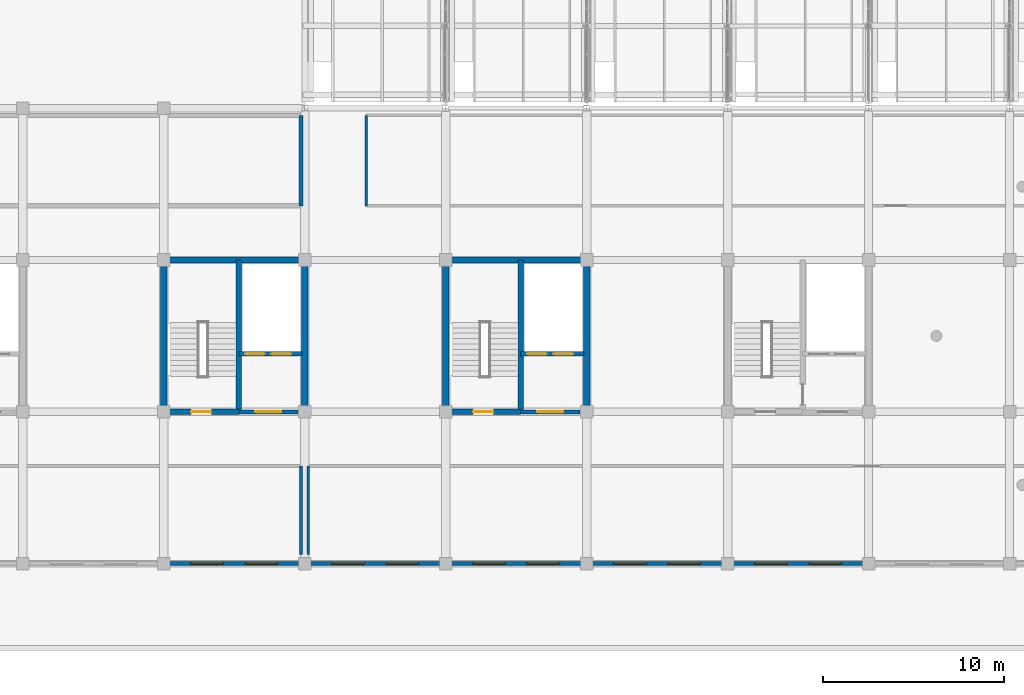
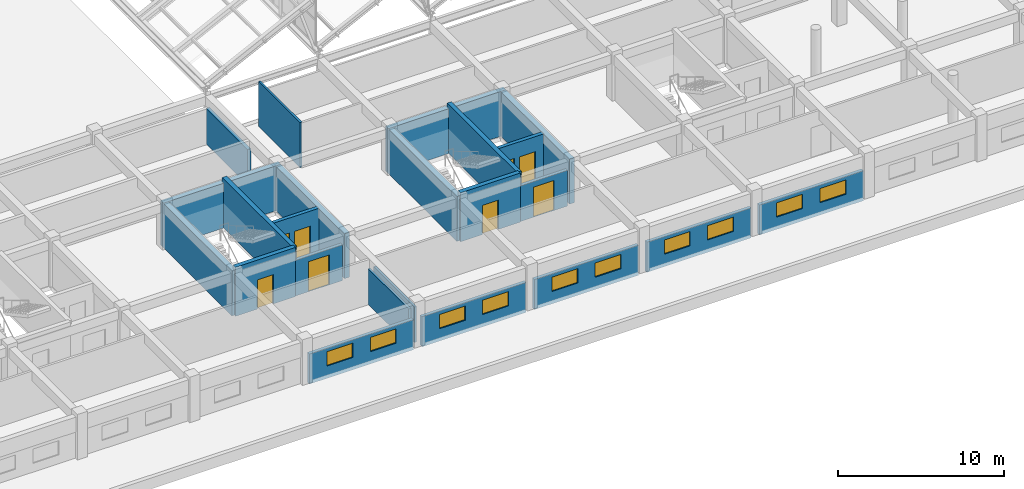
# One storey, part 90 of 101: 23 walls, 10 windows, 8 doors, 18 openings.
"""IFC4 building model written with IfcOpenShell, lengths in metres."""

from ifc_helpers import new_model, si_unit, direction, frame, frame_2d, origin, place, context, subcontext, project, spatial, rectangle, extrude, material, layer, layer_set, type_object, element, fill, save


model = new_model("IFC4")

# Units and contexts
model_context = context("Model", 3, precision=1e-05, world=origin(), true_north=direction((0.0, 1.0)))
body_context = subcontext(model_context, "Body", "Model", "MODEL_VIEW")
ifc_project = project(units=[si_unit("LENGTHUNIT", "METRE"), si_unit("AREAUNIT", "SQUARE_METRE"), si_unit("VOLUMEUNIT", "CUBIC_METRE"), si_unit("PLANEANGLEUNIT", "RADIAN"), si_unit("MASSUNIT", "GRAM", prefix="KILO")], contexts=[model_context])

# Site, building, storey
site_placement = place(None, origin())
site = spatial("IfcSite", under=ifc_project, at=site_placement, CompositionType="ELEMENT")
building_placement = place(site_placement, origin())
building = spatial("IfcBuilding", under=site, at=building_placement, Name="Zizhar Promenade General Hospital", CompositionType="ELEMENT")
storey_placement = place(building_placement, frame((0.0, 0.0, 14.39990234375)))
storey = spatial("IfcBuildingStorey", under=building, at=storey_placement, Name="L03", CompositionType="ELEMENT", Elevation=14.39990234375)

# Wall, openings, windows
ifc_material_1 = material(Name="Precast concrete C40/50", Category="concrete")
ifc_layer_1 = layer(ifc_material_1, 0.22509765625)
ifc_layer_set_1 = layer_set([ifc_layer_1], Name="Precast concrete C40/50")
wall_type_1 = type_object("IfcWallType", Name="EW-INT-225", PredefinedType="STANDARD", material=ifc_layer_set_1)
wall_1_placement = place(storey_placement, frame((69.909912109375, 0.0, 0.0), z_axis=(0.0, 0.0, 1.0), x_axis=(-1.0, 0.0, 0.0)))
wall_1 = element("IfcWall", 1, at=wall_1_placement, inside=storey, type_object=wall_type_1, Name="Riverfront Facade Wall L03-7", PredefinedType="STANDARD", context=body_context, shape_type="SweptSolid", body=[
    extrude(rectangle(XDim=7.219970703125, YDim=0.22509765625, at=frame_2d((3.60986328125, 0.0))), origin(), (0.0, 0.0, 1.0), 2.205078125),
])
opening_1_placement = place(wall_1_placement, frame((1.206787109375, 0.0, 0.89990234375)))
opening_1 = element("IfcOpeningElement", 2, at=opening_1_placement, cuts=wall_1, Name="Opening W-14", PredefinedType="OPENING", context=body_context, shape_type="SweptSolid", body=[
    extrude(rectangle(XDim=1.800048828125, YDim=1.050048828125, at=frame_2d((0.89990234375, 0.52490234375))), frame((0.0, 0.12255859375, 0.0), z_axis=(0.0, -1.0, 0.0), x_axis=(1.0, 0.0, 0.0)), (0.0, 0.0, 1.0), 0.2451171875),
])
opening_2_placement = place(wall_1_placement, frame((4.21337890625, 0.0, 0.89990234375)))
opening_2 = element("IfcOpeningElement", 3, at=opening_2_placement, cuts=wall_1, Name="Opening W-14", PredefinedType="OPENING", context=body_context, shape_type="SweptSolid", body=[
    extrude(rectangle(XDim=1.800048828125, YDim=1.050048828125, at=frame_2d((0.89990234375, 0.52490234375))), frame((0.0, 0.12255859375, 0.0), z_axis=(0.0, -1.0, 0.0), x_axis=(1.0, 0.0, 0.0)), (0.0, 0.0, 1.0), 0.2451171875),
])
ifc_material_2 = material(Name="Anodised aluminium 6063-T6 and low-E glass", Category="aluminium")
window_type = type_object("IfcWindowType", Name="WIN-INT-180x105", PartitioningType="DOUBLE_PANEL_HORIZONTAL", PredefinedType="WINDOW", material=ifc_material_2)
window_1_placement = place(opening_1_placement, origin())
window_1 = element("IfcWindow", 4, at=window_1_placement, inside=storey, type_object=window_type, Name="Riverfront Facade Wall L03-7 Window 1", OverallHeight=1.050048828125, OverallWidth=1.800048828125, PartitioningType="SINGLE_PANEL", PredefinedType="WINDOW", context=body_context, shape_type="SweptSolid", body=[
    extrude(rectangle(XDim=1.800048828125, YDim=1.050048828125, at=frame_2d((0.89990234375, 0.52490234375))), frame((0.0, 0.030029296875, 0.0), z_axis=(0.0, -1.0, 0.0), x_axis=(1.0, 0.0, 0.0)), (0.0, 0.0, 1.0), 0.06005859375),
])
fill(opening_1, window_1)
window_2_placement = place(opening_2_placement, origin())
window_2 = element("IfcWindow", 5, at=window_2_placement, inside=storey, type_object=window_type, Name="Riverfront Facade Wall L03-7 Window 2", OverallHeight=1.050048828125, OverallWidth=1.800048828125, PartitioningType="SINGLE_PANEL", PredefinedType="WINDOW", context=body_context, shape_type="SweptSolid", body=[
    extrude(rectangle(XDim=1.800048828125, YDim=1.050048828125, at=frame_2d((0.89990234375, 0.52490234375))), frame((0.0, 0.030029296875, 0.0), z_axis=(0.0, -1.0, 0.0), x_axis=(1.0, 0.0, 0.0)), (0.0, 0.0, 1.0), 0.06005859375),
])
fill(opening_2, window_2)

wall_2_placement = place(storey_placement, frame((77.7099609375, 0.0, 0.0), z_axis=(0.0, 0.0, 1.0), x_axis=(-1.0, 0.0, 0.0)))
wall_2 = element("IfcWall", 6, at=wall_2_placement, inside=storey, type_object=wall_type_1, Name="Riverfront Facade Wall L03-8", PredefinedType="STANDARD", context=body_context, shape_type="SweptSolid", body=[
    extrude(rectangle(XDim=7.219970703125, YDim=0.22509765625, at=frame_2d((3.60986328125, 0.0))), origin(), (0.0, 0.0, 1.0), 2.205078125),
])
opening_3_placement = place(wall_2_placement, frame((1.206787109375, 0.0, 0.89990234375)))
opening_3 = element("IfcOpeningElement", 7, at=opening_3_placement, cuts=wall_2, Name="Opening W-14", PredefinedType="OPENING", context=body_context, shape_type="SweptSolid", body=[
    extrude(rectangle(XDim=1.800048828125, YDim=1.050048828125, at=frame_2d((0.89990234375, 0.52490234375))), frame((0.0, 0.12255859375, 0.0), z_axis=(0.0, -1.0, 0.0), x_axis=(1.0, 0.0, 0.0)), (0.0, 0.0, 1.0), 0.2451171875),
])
opening_4_placement = place(wall_2_placement, frame((4.21337890625, 0.0, 0.89990234375)))
opening_4 = element("IfcOpeningElement", 8, at=opening_4_placement, cuts=wall_2, Name="Opening W-14", PredefinedType="OPENING", context=body_context, shape_type="SweptSolid", body=[
    extrude(rectangle(XDim=1.800048828125, YDim=1.050048828125, at=frame_2d((0.89990234375, 0.52490234375))), frame((0.0, 0.12255859375, 0.0), z_axis=(0.0, -1.0, 0.0), x_axis=(1.0, 0.0, 0.0)), (0.0, 0.0, 1.0), 0.2451171875),
])
window_3_placement = place(opening_3_placement, origin())
window_3 = element("IfcWindow", 9, at=window_3_placement, inside=storey, type_object=window_type, Name="Riverfront Facade Wall L03-8 Window 1", OverallHeight=1.050048828125, OverallWidth=1.800048828125, PartitioningType="SINGLE_PANEL", PredefinedType="WINDOW", context=body_context, shape_type="SweptSolid", body=[
    extrude(rectangle(XDim=1.800048828125, YDim=1.050048828125, at=frame_2d((0.89990234375, 0.52490234375))), frame((0.0, 0.030029296875, 0.0), z_axis=(0.0, -1.0, 0.0), x_axis=(1.0, 0.0, 0.0)), (0.0, 0.0, 1.0), 0.06005859375),
])
fill(opening_3, window_3)
window_4_placement = place(opening_4_placement, origin())
window_4 = element("IfcWindow", 10, at=window_4_placement, inside=storey, type_object=window_type, Name="Riverfront Facade Wall L03-8 Window 2", OverallHeight=1.050048828125, OverallWidth=1.800048828125, PartitioningType="SINGLE_PANEL", PredefinedType="WINDOW", context=body_context, shape_type="SweptSolid", body=[
    extrude(rectangle(XDim=1.800048828125, YDim=1.050048828125, at=frame_2d((0.89990234375, 0.52490234375))), frame((0.0, 0.030029296875, 0.0), z_axis=(0.0, -1.0, 0.0), x_axis=(1.0, 0.0, 0.0)), (0.0, 0.0, 1.0), 0.06005859375),
])
fill(opening_4, window_4)

wall_3_placement = place(storey_placement, frame((85.510009765625, 0.0, 0.0), z_axis=(0.0, 0.0, 1.0), x_axis=(-1.0, 0.0, 0.0)))
wall_3 = element("IfcWall", 11, at=wall_3_placement, inside=storey, type_object=wall_type_1, Name="Riverfront Facade Wall L03-9", PredefinedType="STANDARD", context=body_context, shape_type="SweptSolid", body=[
    extrude(rectangle(XDim=7.219970703125, YDim=0.22509765625, at=frame_2d((3.60986328125, 0.0))), origin(), (0.0, 0.0, 1.0), 2.205078125),
])
opening_5_placement = place(wall_3_placement, frame((1.206787109375, 0.0, 0.89990234375)))
opening_5 = element("IfcOpeningElement", 12, at=opening_5_placement, cuts=wall_3, Name="Opening W-14", PredefinedType="OPENING", context=body_context, shape_type="SweptSolid", body=[
    extrude(rectangle(XDim=1.800048828125, YDim=1.050048828125, at=frame_2d((0.89990234375, 0.52490234375))), frame((0.0, 0.12255859375, 0.0), z_axis=(0.0, -1.0, 0.0), x_axis=(1.0, 0.0, 0.0)), (0.0, 0.0, 1.0), 0.2451171875),
])
opening_6_placement = place(wall_3_placement, frame((4.21337890625, 0.0, 0.89990234375)))
opening_6 = element("IfcOpeningElement", 13, at=opening_6_placement, cuts=wall_3, Name="Opening W-14", PredefinedType="OPENING", context=body_context, shape_type="SweptSolid", body=[
    extrude(rectangle(XDim=1.800048828125, YDim=1.050048828125, at=frame_2d((0.89990234375, 0.52490234375))), frame((0.0, 0.12255859375, 0.0), z_axis=(0.0, -1.0, 0.0), x_axis=(1.0, 0.0, 0.0)), (0.0, 0.0, 1.0), 0.2451171875),
])
window_5_placement = place(opening_5_placement, origin())
window_5 = element("IfcWindow", 14, at=window_5_placement, inside=storey, type_object=window_type, Name="Riverfront Facade Wall L03-9 Window 1", OverallHeight=1.050048828125, OverallWidth=1.800048828125, PartitioningType="SINGLE_PANEL", PredefinedType="WINDOW", context=body_context, shape_type="SweptSolid", body=[
    extrude(rectangle(XDim=1.800048828125, YDim=1.050048828125, at=frame_2d((0.89990234375, 0.52490234375))), frame((0.0, 0.030029296875, 0.0), z_axis=(0.0, -1.0, 0.0), x_axis=(1.0, 0.0, 0.0)), (0.0, 0.0, 1.0), 0.06005859375),
])
fill(opening_5, window_5)
window_6_placement = place(opening_6_placement, origin())
window_6 = element("IfcWindow", 15, at=window_6_placement, inside=storey, type_object=window_type, Name="Riverfront Facade Wall L03-9 Window 2", OverallHeight=1.050048828125, OverallWidth=1.800048828125, PartitioningType="SINGLE_PANEL", PredefinedType="WINDOW", context=body_context, shape_type="SweptSolid", body=[
    extrude(rectangle(XDim=1.800048828125, YDim=1.050048828125, at=frame_2d((0.89990234375, 0.52490234375))), frame((0.0, 0.030029296875, 0.0), z_axis=(0.0, -1.0, 0.0), x_axis=(1.0, 0.0, 0.0)), (0.0, 0.0, 1.0), 0.06005859375),
])
fill(opening_6, window_6)

wall_4_placement = place(storey_placement, frame((93.31005859375, 0.0, 0.0), z_axis=(0.0, 0.0, 1.0), x_axis=(-1.0, 0.0, 0.0)))
wall_4 = element("IfcWall", 16, at=wall_4_placement, inside=storey, type_object=wall_type_1, Name="Riverfront Facade Wall L03-10", PredefinedType="STANDARD", context=body_context, shape_type="SweptSolid", body=[
    extrude(rectangle(XDim=7.219970703125, YDim=0.22509765625, at=frame_2d((3.60986328125, 0.0))), origin(), (0.0, 0.0, 1.0), 2.205078125),
])
opening_7_placement = place(wall_4_placement, frame((1.206787109375, 0.0, 0.89990234375)))
opening_7 = element("IfcOpeningElement", 17, at=opening_7_placement, cuts=wall_4, Name="Opening W-14", PredefinedType="OPENING", context=body_context, shape_type="SweptSolid", body=[
    extrude(rectangle(XDim=1.800048828125, YDim=1.050048828125, at=frame_2d((0.89990234375, 0.52490234375))), frame((0.0, 0.12255859375, 0.0), z_axis=(0.0, -1.0, 0.0), x_axis=(1.0, 0.0, 0.0)), (0.0, 0.0, 1.0), 0.2451171875),
])
opening_8_placement = place(wall_4_placement, frame((4.21337890625, 0.0, 0.89990234375)))
opening_8 = element("IfcOpeningElement", 18, at=opening_8_placement, cuts=wall_4, Name="Opening W-14", PredefinedType="OPENING", context=body_context, shape_type="SweptSolid", body=[
    extrude(rectangle(XDim=1.800048828125, YDim=1.050048828125, at=frame_2d((0.89990234375, 0.52490234375))), frame((0.0, 0.12255859375, 0.0), z_axis=(0.0, -1.0, 0.0), x_axis=(1.0, 0.0, 0.0)), (0.0, 0.0, 1.0), 0.2451171875),
])
window_7_placement = place(opening_7_placement, origin())
window_7 = element("IfcWindow", 19, at=window_7_placement, inside=storey, type_object=window_type, Name="Riverfront Facade Wall L03-10 Window 1", OverallHeight=1.050048828125, OverallWidth=1.800048828125, PartitioningType="SINGLE_PANEL", PredefinedType="WINDOW", context=body_context, shape_type="SweptSolid", body=[
    extrude(rectangle(XDim=1.800048828125, YDim=1.050048828125, at=frame_2d((0.89990234375, 0.52490234375))), frame((0.0, 0.030029296875, 0.0), z_axis=(0.0, -1.0, 0.0), x_axis=(1.0, 0.0, 0.0)), (0.0, 0.0, 1.0), 0.06005859375),
])
fill(opening_7, window_7)
window_8_placement = place(opening_8_placement, origin())
window_8 = element("IfcWindow", 20, at=window_8_placement, inside=storey, type_object=window_type, Name="Riverfront Facade Wall L03-10 Window 2", OverallHeight=1.050048828125, OverallWidth=1.800048828125, PartitioningType="SINGLE_PANEL", PredefinedType="WINDOW", context=body_context, shape_type="SweptSolid", body=[
    extrude(rectangle(XDim=1.800048828125, YDim=1.050048828125, at=frame_2d((0.89990234375, 0.52490234375))), frame((0.0, 0.030029296875, 0.0), z_axis=(0.0, -1.0, 0.0), x_axis=(1.0, 0.0, 0.0)), (0.0, 0.0, 1.0), 0.06005859375),
])
fill(opening_8, window_8)

wall_5_placement = place(storey_placement, frame((101.110107421875, 0.0, 0.0), z_axis=(0.0, 0.0, 1.0), x_axis=(-1.0, 0.0, 0.0)))
wall_5 = element("IfcWall", 21, at=wall_5_placement, inside=storey, type_object=wall_type_1, Name="Riverfront Facade Wall L03-11", PredefinedType="STANDARD", context=body_context, shape_type="SweptSolid", body=[
    extrude(rectangle(XDim=7.22021484375, YDim=0.22509765625, at=frame_2d((3.610107421875, 0.0))), origin(), (0.0, 0.0, 1.0), 2.205078125),
])
opening_9_placement = place(wall_5_placement, frame((1.206787109375, 0.0, 0.89990234375)))
opening_9 = element("IfcOpeningElement", 22, at=opening_9_placement, cuts=wall_5, Name="Opening W-14", PredefinedType="OPENING", context=body_context, shape_type="SweptSolid", body=[
    extrude(rectangle(XDim=1.800048828125, YDim=1.050048828125, at=frame_2d((0.89990234375, 0.52490234375))), frame((0.0, 0.12255859375, 0.0), z_axis=(0.0, -1.0, 0.0), x_axis=(1.0, 0.0, 0.0)), (0.0, 0.0, 1.0), 0.2451171875),
])
opening_10_placement = place(wall_5_placement, frame((4.21337890625, 0.0, 0.89990234375)))
opening_10 = element("IfcOpeningElement", 23, at=opening_10_placement, cuts=wall_5, Name="Opening W-14", PredefinedType="OPENING", context=body_context, shape_type="SweptSolid", body=[
    extrude(rectangle(XDim=1.800048828125, YDim=1.050048828125, at=frame_2d((0.89990234375, 0.52490234375))), frame((0.0, 0.12255859375, 0.0), z_axis=(0.0, -1.0, 0.0), x_axis=(1.0, 0.0, 0.0)), (0.0, 0.0, 1.0), 0.2451171875),
])
window_9_placement = place(opening_9_placement, origin())
window_9 = element("IfcWindow", 24, at=window_9_placement, inside=storey, type_object=window_type, Name="Riverfront Facade Wall L03-11 Window 1", OverallHeight=1.050048828125, OverallWidth=1.800048828125, PartitioningType="SINGLE_PANEL", PredefinedType="WINDOW", context=body_context, shape_type="SweptSolid", body=[
    extrude(rectangle(XDim=1.800048828125, YDim=1.050048828125, at=frame_2d((0.89990234375, 0.52490234375))), frame((0.0, 0.030029296875, 0.0), z_axis=(0.0, -1.0, 0.0), x_axis=(1.0, 0.0, 0.0)), (0.0, 0.0, 1.0), 0.06005859375),
])
fill(opening_9, window_9)
window_10_placement = place(opening_10_placement, origin())
window_10 = element("IfcWindow", 25, at=window_10_placement, inside=storey, type_object=window_type, Name="Riverfront Facade Wall L03-11 Window 2", OverallHeight=1.050048828125, OverallWidth=1.800048828125, PartitioningType="SINGLE_PANEL", PredefinedType="WINDOW", context=body_context, shape_type="SweptSolid", body=[
    extrude(rectangle(XDim=1.800048828125, YDim=1.050048828125, at=frame_2d((0.89990234375, 0.52490234375))), frame((0.0, 0.030029296875, 0.0), z_axis=(0.0, -1.0, 0.0), x_axis=(1.0, 0.0, 0.0)), (0.0, 0.0, 1.0), 0.06005859375),
])
fill(opening_10, window_10)

# Wall
ifc_material_3 = material(Name="Clinical consultation partition")
ifc_layer_2 = layer(ifc_material_3, 0.14501953125)
ifc_layer_set_2 = layer_set([ifc_layer_2], Name="Clinical consultation partition")
wall_type_2 = type_object("IfcWallType", Name="IW-CLN-145", PredefinedType="PARTITIONING", material=ifc_layer_set_2)
wall_6_placement = place(storey_placement, frame((73.60009765625, 19.800048828125, 0.0), z_axis=(0.0, 0.0, 1.0), x_axis=(0.0, 1.0, 0.0)))
element("IfcWall", 26, at=wall_6_placement, inside=storey, type_object=wall_type_2, Name="Clinical IT Server and Nurse-Call Distribution Room W Partition", PredefinedType="PARTITIONING", context=body_context, shape_type="SweptSolid", body=[
    extrude(rectangle(XDim=5.0, YDim=0.14501953125, at=frame_2d((2.5, 0.0))), origin(), (0.0, 0.0, 1.0), 3.300048828125),
])

# Wall, opening, door
ifc_material_4 = material(Name="Concrete C35/45", Category="concrete")
ifc_layer_3 = layer(ifc_material_4, 0.215087890625)
ifc_layer_set_3 = layer_set([ifc_layer_3], Name="Concrete C35/45")
wall_type_3 = type_object("IfcWallType", Name="IW-LOBBY-215", PredefinedType="STANDARD", material=ifc_layer_set_3)
wall_7_placement = place(storey_placement, frame((66.550048828125, 8.39990234375, 0.0), z_axis=(0.0, 0.0, 1.0), x_axis=(1.0, 0.0, 0.0)))
wall_7 = element("IfcWall", 27, at=wall_7_placement, inside=storey, type_object=wall_type_3, Name="Core C3 Lift Lobby South Fire Wall (L03)", PredefinedType="STANDARD", context=body_context, shape_type="SweptSolid", body=[
    extrude(rectangle(XDim=3.2900390625, YDim=0.215087890625, at=frame_2d((1.64501953125, 0.0))), origin(), (0.0, 0.0, 1.0), 2.6201171875),
])
opening_11_placement = place(wall_7_placement, frame((0.925048828125, 0.0, 0.0)))
opening_11 = element("IfcOpeningElement", 28, at=opening_11_placement, cuts=wall_7, Name="Opening D-23", PredefinedType="OPENING", context=body_context, shape_type="SweptSolid", body=[
    extrude(rectangle(XDim=1.43994140625, YDim=2.199951171875, at=frame_2d((0.719970703125, 1.10009765625))), frame((0.0, 0.11767578125, 0.0), z_axis=(0.0, -1.0, 0.0), x_axis=(1.0, 0.0, 0.0)), (0.0, 0.0, 1.0), 0.235107421875),
])
ifc_material_5 = material(Name="Fire-rated timber lift lobby pair", Category="wood")
door_type_1 = type_object("IfcDoorType", Name="DR-LOBBY-PR-144x220", OperationType="DOUBLE_DOOR_SINGLE_SWING", PredefinedType="DOOR", material=ifc_material_5)
door_1_placement = place(opening_11_placement, origin())
door_1 = element("IfcDoor", 29, at=door_1_placement, inside=storey, type_object=door_type_1, Name="Core C3 Protected Lift Lobby Door (L03)", OperationType="DOUBLE_DOOR_SINGLE_SWING", OverallHeight=2.199951171875, OverallWidth=1.43994140625, PredefinedType="DOOR", context=body_context, shape_type="SweptSolid", body=[
    extrude(rectangle(XDim=1.43994140625, YDim=2.199951171875, at=frame_2d((0.719970703125, 1.10009765625))), frame((0.0, 0.02490234375, 0.0), z_axis=(0.0, -1.0, 0.0), x_axis=(1.0, 0.0, 0.0)), (0.0, 0.0, 1.0), 0.050048828125),
])
fill(opening_11, door_1)

wall_8_placement = place(storey_placement, frame((82.14990234375, 8.39990234375, 0.0), z_axis=(0.0, 0.0, 1.0), x_axis=(1.0, 0.0, 0.0)))
wall_8 = element("IfcWall", 30, at=wall_8_placement, inside=storey, type_object=wall_type_3, Name="Core C4 Lift Lobby South Fire Wall (L03)", PredefinedType="STANDARD", context=body_context, shape_type="SweptSolid", body=[
    extrude(rectangle(XDim=3.2900390625, YDim=0.215087890625, at=frame_2d((1.64501953125, 0.0))), origin(), (0.0, 0.0, 1.0), 2.6201171875),
])
opening_12_placement = place(wall_8_placement, frame((0.925048828125, 0.0, 0.0)))
opening_12 = element("IfcOpeningElement", 31, at=opening_12_placement, cuts=wall_8, Name="Opening D-23", PredefinedType="OPENING", context=body_context, shape_type="SweptSolid", body=[
    extrude(rectangle(XDim=1.43994140625, YDim=2.199951171875, at=frame_2d((0.719970703125, 1.10009765625))), frame((0.0, 0.11767578125, 0.0), z_axis=(0.0, -1.0, 0.0), x_axis=(1.0, 0.0, 0.0)), (0.0, 0.0, 1.0), 0.235107421875),
])
door_2_placement = place(opening_12_placement, origin())
door_2 = element("IfcDoor", 32, at=door_2_placement, inside=storey, type_object=door_type_1, Name="Core C4 Protected Lift Lobby Door (L03)", OperationType="DOUBLE_DOOR_SINGLE_SWING", OverallHeight=2.199951171875, OverallWidth=1.43994140625, PredefinedType="DOOR", context=body_context, shape_type="SweptSolid", body=[
    extrude(rectangle(XDim=1.43994140625, YDim=2.199951171875, at=frame_2d((0.719970703125, 1.10009765625))), frame((0.0, 0.02490234375, 0.0), z_axis=(0.0, -1.0, 0.0), x_axis=(1.0, 0.0, 0.0)), (0.0, 0.0, 1.0), 0.050048828125),
])
fill(opening_12, door_2)

# Wall
ifc_material_6 = material(Name="Concrete block masonry C30/37", Category="masonry")
ifc_layer_4 = layer(ifc_material_6, 0.22998046875)
ifc_layer_set_4 = layer_set([ifc_layer_4], Name="Concrete block masonry C30/37")
wall_type_4 = type_object("IfcWallType", Name="IW-PLNT-230", PredefinedType="STANDARD", material=ifc_layer_set_4)
wall_9_placement = place(storey_placement, frame((70.0, 19.800048828125, 0.0), z_axis=(0.0, 0.0, 1.0), x_axis=(0.0, 1.0, 0.0)))
element("IfcWall", 33, at=wall_9_placement, inside=storey, type_object=wall_type_4, Name="Medical Gas Zoned Valve and Vacuum Plant E Partition", PredefinedType="STANDARD", context=body_context, shape_type="SweptSolid", body=[
    extrude(rectangle(XDim=5.0, YDim=0.22998046875, at=frame_2d((2.5, 0.0))), origin(), (0.0, 0.0, 1.0), 2.60498046875),
])

# Wall, openings, doors
ifc_material_7 = material(Name="Concrete C35/45", Category="concrete")
ifc_layer_5 = layer(ifc_material_7, 0.25)
ifc_layer_set_5 = layer_set([ifc_layer_5], Name="Concrete C35/45")
wall_type_5 = type_object("IfcWallType", Name="IW-SHAFT-250", PredefinedType="STANDARD", material=ifc_layer_set_5)
wall_10_placement = place(storey_placement, frame((66.550048828125, 11.60009765625, 0.0), z_axis=(0.0, 0.0, 1.0), x_axis=(1.0, 0.0, 0.0)))
wall_10 = element("IfcWall", 34, at=wall_10_placement, inside=storey, type_object=wall_type_5, Name="Core C3 Lift Shaft Landing Wall (L03)", PredefinedType="STANDARD", context=body_context, shape_type="SweptSolid", body=[
    extrude(rectangle(XDim=3.5, YDim=0.25, at=frame_2d((1.75, 0.0))), origin(), (0.0, 0.0, 1.0), 3.300048828125),
])
opening_13_placement = place(wall_10_placement, frame((0.35009765625, 0.0, 0.0)))
opening_13 = element("IfcOpeningElement", 35, at=opening_13_placement, cuts=wall_10, Name="Opening LD-11", PredefinedType="OPENING", context=body_context, shape_type="SweptSolid", body=[
    extrude(rectangle(XDim=1.10009765625, YDim=2.199951171875, at=frame_2d((0.550048828125, 1.10009765625))), frame((0.0, 0.135009765625, 0.0), z_axis=(0.0, -1.0, 0.0), x_axis=(1.0, 0.0, 0.0)), (0.0, 0.0, 1.0), 0.27001953125),
])
opening_14_placement = place(wall_10_placement, frame((1.800048828125, 0.0, 0.0)))
opening_14 = element("IfcOpeningElement", 36, at=opening_14_placement, cuts=wall_10, Name="Opening LD-11", PredefinedType="OPENING", context=body_context, shape_type="SweptSolid", body=[
    extrude(rectangle(XDim=1.10009765625, YDim=2.199951171875, at=frame_2d((0.550048828125, 1.10009765625))), frame((0.0, 0.135009765625, 0.0), z_axis=(0.0, -1.0, 0.0), x_axis=(1.0, 0.0, 0.0)), (0.0, 0.0, 1.0), 0.27001953125),
])
ifc_material_8 = material(Name="Stainless Steel S355 passenger lift landing door", Category="steel")
door_type_2 = type_object("IfcDoorType", Name="DR-LIFT-LD11", OperationType="SLIDING_TO_LEFT", PredefinedType="DOOR", material=ifc_material_8)
door_3_placement = place(opening_13_placement, origin())
door_3 = element("IfcDoor", 37, at=door_3_placement, inside=storey, type_object=door_type_2, Name="Lift LB-02 Sliding Landing Door (L03)", OperationType="SLIDING_TO_LEFT", OverallHeight=2.199951171875, OverallWidth=1.10009765625, PredefinedType="DOOR", context=body_context, shape_type="SweptSolid", body=[
    extrude(rectangle(XDim=1.10009765625, YDim=2.199951171875, at=frame_2d((0.550048828125, 1.10009765625))), frame((0.0, 0.02490234375, 0.0), z_axis=(0.0, -1.0, 0.0), x_axis=(1.0, 0.0, 0.0)), (0.0, 0.0, 1.0), 0.050048828125),
])
fill(opening_13, door_3)
door_4_placement = place(opening_14_placement, origin())
door_4 = element("IfcDoor", 38, at=door_4_placement, inside=storey, type_object=door_type_2, Name="Lift LP-02 Sliding Landing Door (L03)", OperationType="SLIDING_TO_LEFT", OverallHeight=2.199951171875, OverallWidth=1.10009765625, PredefinedType="DOOR", context=body_context, shape_type="SweptSolid", body=[
    extrude(rectangle(XDim=1.10009765625, YDim=2.199951171875, at=frame_2d((0.550048828125, 1.10009765625))), frame((0.0, 0.02490234375, 0.0), z_axis=(0.0, -1.0, 0.0), x_axis=(1.0, 0.0, 0.0)), (0.0, 0.0, 1.0), 0.050048828125),
])
fill(opening_14, door_4)

wall_11_placement = place(storey_placement, frame((82.14990234375, 11.60009765625, 0.0), z_axis=(0.0, 0.0, 1.0), x_axis=(1.0, 0.0, 0.0)))
wall_11 = element("IfcWall", 39, at=wall_11_placement, inside=storey, type_object=wall_type_5, Name="Core C4 Lift Shaft Landing Wall (L03)", PredefinedType="STANDARD", context=body_context, shape_type="SweptSolid", body=[
    extrude(rectangle(XDim=3.5, YDim=0.25, at=frame_2d((1.75, 0.0))), origin(), (0.0, 0.0, 1.0), 3.300048828125),
])
opening_15_placement = place(wall_11_placement, frame((0.35009765625, 0.0, 0.0)))
opening_15 = element("IfcOpeningElement", 40, at=opening_15_placement, cuts=wall_11, Name="Opening LD-11", PredefinedType="OPENING", context=body_context, shape_type="SweptSolid", body=[
    extrude(rectangle(XDim=1.10009765625, YDim=2.199951171875, at=frame_2d((0.550048828125, 1.10009765625))), frame((0.0, 0.135009765625, 0.0), z_axis=(0.0, -1.0, 0.0), x_axis=(1.0, 0.0, 0.0)), (0.0, 0.0, 1.0), 0.27001953125),
])
opening_16_placement = place(wall_11_placement, frame((1.800048828125, 0.0, 0.0)))
opening_16 = element("IfcOpeningElement", 41, at=opening_16_placement, cuts=wall_11, Name="Opening LD-11", PredefinedType="OPENING", context=body_context, shape_type="SweptSolid", body=[
    extrude(rectangle(XDim=1.10009765625, YDim=2.199951171875, at=frame_2d((0.550048828125, 1.10009765625))), frame((0.0, 0.135009765625, 0.0), z_axis=(0.0, -1.0, 0.0), x_axis=(1.0, 0.0, 0.0)), (0.0, 0.0, 1.0), 0.27001953125),
])
door_5_placement = place(opening_15_placement, origin())
door_5 = element("IfcDoor", 42, at=door_5_placement, inside=storey, type_object=door_type_2, Name="Lift LB-03 Sliding Landing Door (L03)", OperationType="SLIDING_TO_LEFT", OverallHeight=2.199951171875, OverallWidth=1.10009765625, PredefinedType="DOOR", context=body_context, shape_type="SweptSolid", body=[
    extrude(rectangle(XDim=1.10009765625, YDim=2.199951171875, at=frame_2d((0.550048828125, 1.10009765625))), frame((0.0, 0.02490234375, 0.0), z_axis=(0.0, -1.0, 0.0), x_axis=(1.0, 0.0, 0.0)), (0.0, 0.0, 1.0), 0.050048828125),
])
fill(opening_15, door_5)
door_6_placement = place(opening_16_placement, origin())
door_6 = element("IfcDoor", 43, at=door_6_placement, inside=storey, type_object=door_type_2, Name="Lift LP-03 Sliding Landing Door (L03)", OperationType="SLIDING_TO_LEFT", OverallHeight=2.199951171875, OverallWidth=1.10009765625, PredefinedType="DOOR", context=body_context, shape_type="SweptSolid", body=[
    extrude(rectangle(XDim=1.10009765625, YDim=2.199951171875, at=frame_2d((0.550048828125, 1.10009765625))), frame((0.0, 0.02490234375, 0.0), z_axis=(0.0, -1.0, 0.0), x_axis=(1.0, 0.0, 0.0)), (0.0, 0.0, 1.0), 0.050048828125),
])
fill(opening_16, door_6)

# Walls
ifc_material_9 = material(Name="Acoustic patient bedroom partition")
ifc_layer_6 = layer(ifc_material_9, 0.155029296875)
ifc_layer_set_6 = layer_set([ifc_layer_6], Name="Acoustic patient bedroom partition")
wall_type_6 = type_object("IfcWallType", Name="IW-WARD-155", PredefinedType="PARTITIONING", material=ifc_layer_set_6)
for number, where, z_axis, x_axis, name in (
    (44, (70.0, 0.5, 0.0), (0.0, 0.0, 1.0), (0.0, 1.0, 0.0), "Ward Hygienic Air Handling Plant West E Partition"),
    (45, (70.39990234375, 0.5, 0.0), (0.0, 0.0, 1.0), (0.0, 1.0, 0.0), "Ward Hygienic Air Handling Plant East W Partition"),
):
    element("IfcWall", number, at=place(storey_placement, frame(where, z_axis=z_axis, x_axis=x_axis)), inside=storey, type_object=wall_type_6, Name=name, PredefinedType="PARTITIONING", context=body_context, shape_type="SweptSolid", body=[
        extrude(rectangle(XDim=4.89990234375, YDim=0.155029296875, at=frame_2d((2.449951171875, 0.0))), origin(), (0.0, 0.0, 1.0), 2.60498046875),
    ])

# Wall, opening, door
ifc_material_10 = material(Name="Concrete C40/50", Category="concrete")
ifc_layer_7 = layer(ifc_material_10, 0.300048828125)
ifc_layer_set_7 = layer_set([ifc_layer_7], Name="Concrete C40/50")
wall_type_7 = type_object("IfcWallType", Name="WL-CORE-300", PredefinedType="SHEAR", material=ifc_layer_set_7)
wall_12_placement = place(storey_placement, frame((62.39990234375, 8.39990234375, 0.0), z_axis=(0.0, 0.0, 1.0), x_axis=(1.0, 0.0, 0.0)))
wall_12 = element("IfcWall", 46, at=wall_12_placement, inside=storey, type_object=wall_type_7, Name="Core C3 Stair South Fire Wall (L03)", PredefinedType="SHEAR", context=body_context, shape_type="SweptSolid", body=[
    extrude(rectangle(XDim=4.150146484375, YDim=0.300048828125, at=frame_2d((2.0751953125, 0.0))), origin(), (0.0, 0.0, 1.0), 3.60009765625),
])
opening_17_placement = place(wall_12_placement, frame((1.514892578125, 0.0, 0.0)))
opening_17 = element("IfcOpeningElement", 47, at=opening_17_placement, cuts=wall_12, Name="Opening D-21", PredefinedType="OPENING", context=body_context, shape_type="SweptSolid", body=[
    extrude(rectangle(XDim=1.1201171875, YDim=2.14990234375, at=frame_2d((0.56005859375, 1.074951171875))), frame((0.0, 0.16015625, 0.0), z_axis=(0.0, -1.0, 0.0), x_axis=(1.0, 0.0, 0.0)), (0.0, 0.0, 1.0), 0.320068359375),
])
ifc_material_11 = material(Name="Steel S355 protected stair door", Category="steel")
door_type_3 = type_object("IfcDoorType", Name="DR-STAIR-112x215", OperationType="NOTDEFINED", PredefinedType="DOOR", material=ifc_material_11)
door_7_placement = place(opening_17_placement, origin())
door_7 = element("IfcDoor", 48, at=door_7_placement, inside=storey, type_object=door_type_3, Name="Exit Stair ST-03 Door (L03)", OperationType="SINGLE_SWING_RIGHT", OverallHeight=2.14990234375, OverallWidth=1.1201171875, PredefinedType="DOOR", context=body_context, shape_type="SweptSolid", body=[
    extrude(rectangle(XDim=1.1201171875, YDim=2.14990234375, at=frame_2d((0.56005859375, 1.074951171875))), frame((0.0, 0.02490234375, 0.0), z_axis=(0.0, -1.0, 0.0), x_axis=(1.0, 0.0, 0.0)), (0.0, 0.0, 1.0), 0.050048828125),
])
fill(opening_17, door_7)

# Wall
wall_13_placement = place(storey_placement, frame((66.550048828125, 8.39990234375, 0.0), z_axis=(0.0, 0.0, 1.0), x_axis=(0.0, 1.0, 0.0)))
element("IfcWall", 49, at=wall_13_placement, inside=storey, type_object=wall_type_7, Name="Core C3 Stair-Shaft Separation Wall (L03)", PredefinedType="SHEAR", context=body_context, shape_type="SweptSolid", body=[
    extrude(rectangle(XDim=8.400146484375, YDim=0.300048828125, at=frame_2d((4.2001953125, 0.0))), origin(), (0.0, 0.0, 1.0), 3.60009765625),
])

# Wall, opening, door
wall_14_placement = place(storey_placement, frame((78.0, 8.39990234375, 0.0), z_axis=(0.0, 0.0, 1.0), x_axis=(1.0, 0.0, 0.0)))
wall_14 = element("IfcWall", 50, at=wall_14_placement, inside=storey, type_object=wall_type_7, Name="Core C4 Stair South Fire Wall (L03)", PredefinedType="SHEAR", context=body_context, shape_type="SweptSolid", body=[
    extrude(rectangle(XDim=4.14990234375, YDim=0.300048828125, at=frame_2d((2.074951171875, 0.0))), origin(), (0.0, 0.0, 1.0), 3.60009765625),
])
opening_18_placement = place(wall_14_placement, frame((1.514892578125, 0.0, 0.0)))
opening_18 = element("IfcOpeningElement", 51, at=opening_18_placement, cuts=wall_14, Name="Opening D-21", PredefinedType="OPENING", context=body_context, shape_type="SweptSolid", body=[
    extrude(rectangle(XDim=1.1201171875, YDim=2.14990234375, at=frame_2d((0.56005859375, 1.074951171875))), frame((0.0, 0.16015625, 0.0), z_axis=(0.0, -1.0, 0.0), x_axis=(1.0, 0.0, 0.0)), (0.0, 0.0, 1.0), 0.320068359375),
])
door_8_placement = place(opening_18_placement, origin())
door_8 = element("IfcDoor", 52, at=door_8_placement, inside=storey, type_object=door_type_3, Name="Exit Stair ST-04 Door (L03)", OperationType="SINGLE_SWING_RIGHT", OverallHeight=2.14990234375, OverallWidth=1.1201171875, PredefinedType="DOOR", context=body_context, shape_type="SweptSolid", body=[
    extrude(rectangle(XDim=1.1201171875, YDim=2.14990234375, at=frame_2d((0.56005859375, 1.074951171875))), frame((0.0, 0.02490234375, 0.0), z_axis=(0.0, -1.0, 0.0), x_axis=(1.0, 0.0, 0.0)), (0.0, 0.0, 1.0), 0.050048828125),
])
fill(opening_18, door_8)

# Walls
wall_15_placement = place(storey_placement, frame((82.14990234375, 8.39990234375, 0.0), z_axis=(0.0, 0.0, 1.0), x_axis=(0.0, 1.0, 0.0)))
element("IfcWall", 53, at=wall_15_placement, inside=storey, type_object=wall_type_7, Name="Core C4 Stair-Shaft Separation Wall (L03)", PredefinedType="SHEAR", context=body_context, shape_type="SweptSolid", body=[
    extrude(rectangle(XDim=8.400146484375, YDim=0.300048828125, at=frame_2d((4.2001953125, 0.0))), origin(), (0.0, 0.0, 1.0), 3.60009765625),
])
ifc_material_12 = material(Name="Concrete C40/50", Category="concrete")
ifc_layer_8 = layer(ifc_material_12, 0.35009765625)
ifc_layer_set_8 = layer_set([ifc_layer_8], Name="Concrete C40/50")
wall_type_8 = type_object("IfcWallType", Name="WL-CORE-350", PredefinedType="SHEAR", material=ifc_layer_set_8)
wall_16_placement = place(storey_placement, frame((62.22509765625, 16.800048828125, 0.0), z_axis=(0.0, 0.0, 1.0), x_axis=(1.0, 0.0, 0.0)))
element("IfcWall", 54, at=wall_16_placement, inside=storey, type_object=wall_type_8, Name="Core C3 North Shear Wall L03", PredefinedType="SHEAR", context=body_context, shape_type="SweptSolid", body=[
    extrude(rectangle(XDim=8.14990234375, YDim=0.35009765625, at=frame_2d((4.074951171875, 0.0))), origin(), (0.0, 0.0, 1.0), 3.280029296875),
])
for number, where, z_axis, x_axis, name in (
    (55, (62.39990234375, 8.39990234375, 0.0), (0.0, 0.0, 1.0), (0.0, 1.0, 0.0), "Core C3 West Shear Wall L03"),
    (56, (70.199951171875, 8.39990234375, 0.0), (0.0, 0.0, 1.0), (0.0, 1.0, 0.0), "Core C3 East Shear Wall L03"),
):
    element("IfcWall", number, at=place(storey_placement, frame(where, z_axis=z_axis, x_axis=x_axis)), inside=storey, type_object=wall_type_8, Name=name, PredefinedType="SHEAR", context=body_context, shape_type="SweptSolid", body=[
        extrude(rectangle(XDim=8.400146484375, YDim=0.35009765625, at=frame_2d((4.2001953125, 0.0))), origin(), (0.0, 0.0, 1.0), 3.280029296875),
    ])
wall_17_placement = place(storey_placement, frame((77.824951171875, 16.800048828125, 0.0), z_axis=(0.0, 0.0, 1.0), x_axis=(1.0, 0.0, 0.0)))
element("IfcWall", 57, at=wall_17_placement, inside=storey, type_object=wall_type_8, Name="Core C4 North Shear Wall L03", PredefinedType="SHEAR", context=body_context, shape_type="SweptSolid", body=[
    extrude(rectangle(XDim=8.150146484375, YDim=0.35009765625, at=frame_2d((4.0751953125, 0.0))), origin(), (0.0, 0.0, 1.0), 3.280029296875),
])
for number, where, z_axis, x_axis, name in (
    (58, (78.0, 8.39990234375, 0.0), (0.0, 0.0, 1.0), (0.0, 1.0, 0.0), "Core C4 West Shear Wall L03"),
    (59, (85.800048828125, 8.39990234375, 0.0), (0.0, 0.0, 1.0), (0.0, 1.0, 0.0), "Core C4 East Shear Wall L03"),
):
    element("IfcWall", number, at=place(storey_placement, frame(where, z_axis=z_axis, x_axis=x_axis)), inside=storey, type_object=wall_type_8, Name=name, PredefinedType="SHEAR", context=body_context, shape_type="SweptSolid", body=[
        extrude(rectangle(XDim=8.400146484375, YDim=0.35009765625, at=frame_2d((4.2001953125, 0.0))), origin(), (0.0, 0.0, 1.0), 3.280029296875),
    ])

save(model, "model.ifc")
